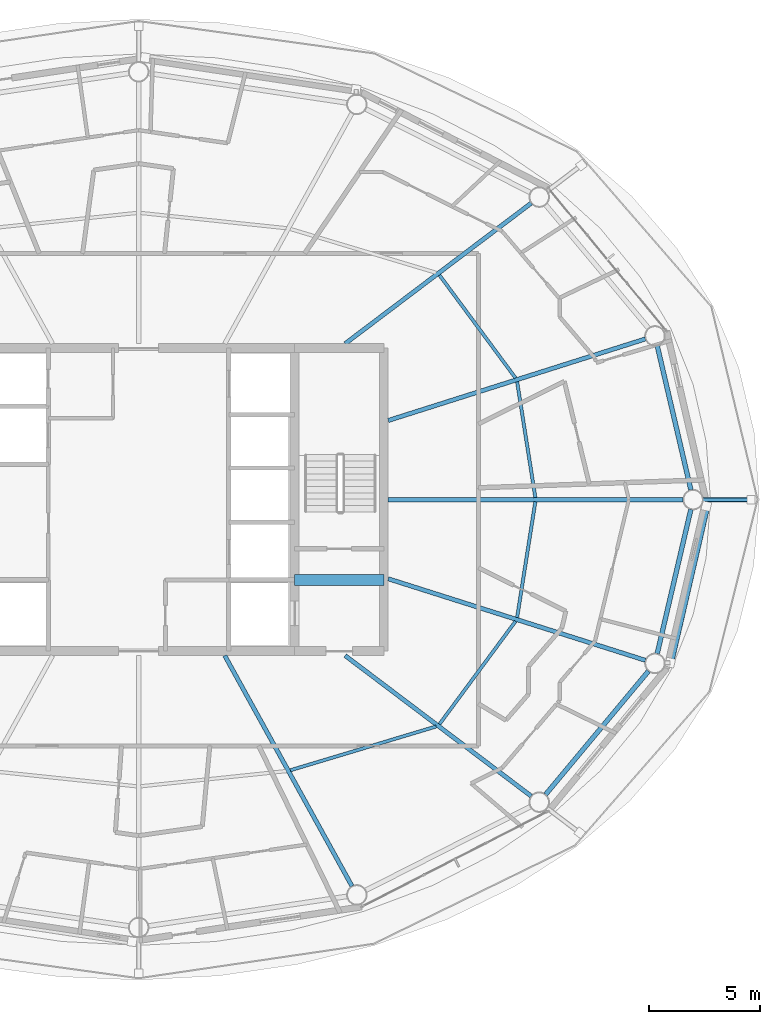
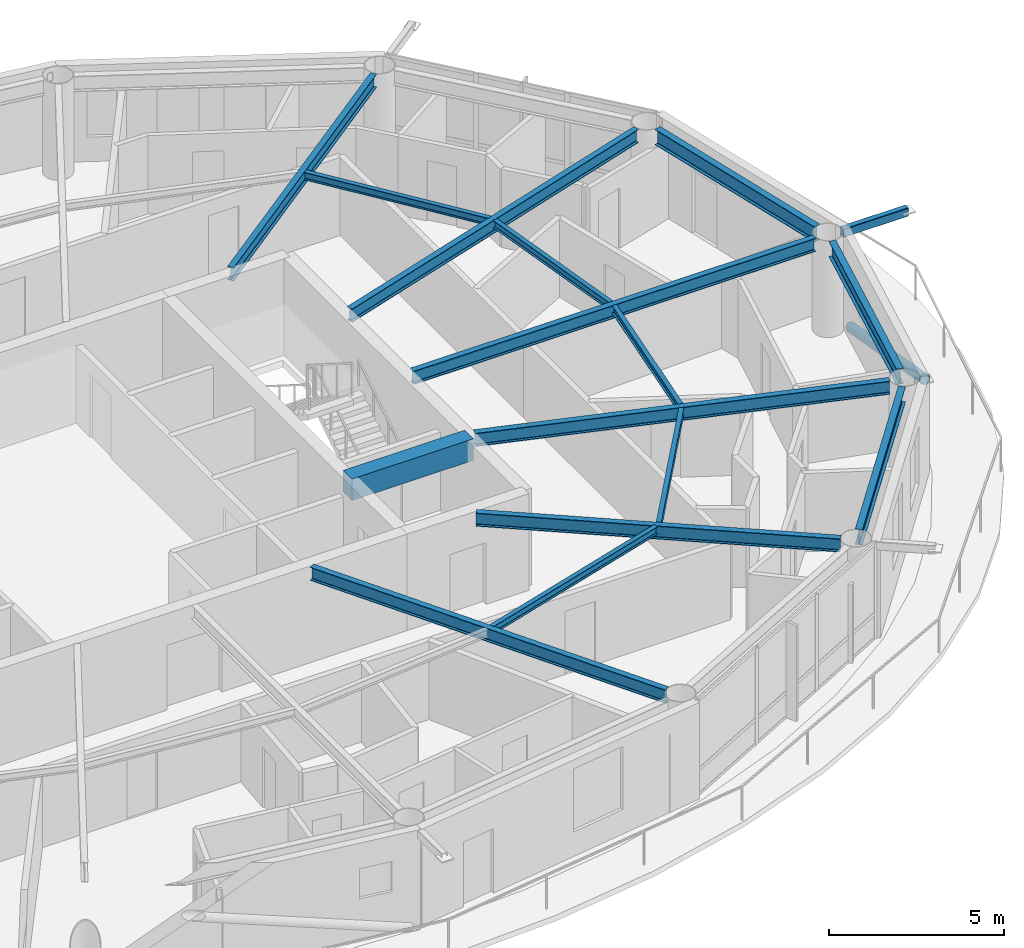
# One storey, part 6 of 23: 15 beams, 2 members.
"""IFC4 building model written with IfcOpenShell, lengths in metres."""

from ifc_helpers import new_model, si_unit, direction, frame, origin, origin_2d, place, context, subcontext, project, spatial, rectangle, hollow_rectangle, hollow_circle, i_section, extrude, material, material_profile, profile_set, type_object, element, save


model = new_model("IFC4")

# Units and contexts
model_context = context("Model", 3, precision=1e-05, world=origin(), true_north=direction((0.0, 1.0)))
body_context = subcontext(model_context, "Body", "Model", "MODEL_VIEW")
ifc_project = project(units=[si_unit("LENGTHUNIT", "METRE"), si_unit("AREAUNIT", "SQUARE_METRE"), si_unit("VOLUMEUNIT", "CUBIC_METRE"), si_unit("PLANEANGLEUNIT", "RADIAN"), si_unit("MASSUNIT", "GRAM", prefix="KILO")], contexts=[model_context])

# Site, building, storey
site_placement = place(None, origin())
site = spatial("IfcSite", under=ifc_project, at=site_placement, CompositionType="ELEMENT")
building_placement = place(site_placement, origin())
building = spatial("IfcBuilding", under=site, at=building_placement, Name="Sarneth Arch Tower", CompositionType="ELEMENT")
storey_placement = place(building_placement, frame((0.0, 0.0, 231.60009765625)))
storey = spatial("IfcBuildingStorey", under=building, at=storey_placement, Name="L59", CompositionType="ELEMENT", Elevation=231.60009765625)

# Beams
ifc_material_1 = material(Name="Steel S355", Category="steel")
ifc_material_profile_1 = material_profile(ifc_material_1, i_section(OverallWidth=0.14794921875, OverallDepth=0.26611328125, WebThickness=0.007568359375, FlangeThickness=0.012939453125, FilletRadius=0.012939453125, at=origin_2d()), Name="W250x44.8")
ifc_profile_set_1 = profile_set([ifc_material_profile_1], Name="Steel S355")
beam_type_1 = type_object("IfcBeamType", Name="BM-JOIST-250", PredefinedType="JOIST", material=ifc_profile_set_1)
beam_1_placement = place(storey_placement, frame((65.8017578125, 42.0947265625, 3.226806640625), z_axis=(-0.155421095795, 0.987848309702, 0.0), x_axis=(-0.987848309702, -0.155421095795, 0.0)))
element("IfcBeam", 1, at=beam_1_placement, inside=storey, type_object=beam_type_1, Name="L59 Secondary floor joist 01", PredefinedType="JOIST", context=body_context, shape_type="SweptSolid", body=[
    extrude(i_section(OverallWidth=0.14794921875, OverallDepth=0.26611328125, WebThickness=0.007568359375, FlangeThickness=0.012939453125, FilletRadius=0.012939453125, at=origin_2d()), origin(), (0.0, 0.0, 1.0), 5.256103515625),
])
beam_2_placement = place(storey_placement, frame((64.912841796875, 47.458740234375, 3.226806640625), z_axis=(-0.594557229879, 0.804053294501, 0.0), x_axis=(-0.804053294501, -0.594557229879, 0.0)))
element("IfcBeam", 2, at=beam_2_placement, inside=storey, type_object=beam_type_1, Name="L59 Secondary floor joist 02", PredefinedType="JOIST", context=body_context, shape_type="SweptSolid", body=[
    extrude(i_section(OverallWidth=0.14794921875, OverallDepth=0.26611328125, WebThickness=0.007568359375, FlangeThickness=0.012939453125, FilletRadius=0.012939453125, at=origin_2d()), origin(), (0.0, 0.0, 1.0), 5.74169921875),
])
beam_3_placement = place(storey_placement, frame((54.810546875, 29.85546875, 3.226806640625), z_axis=(0.957725851155, 0.287682453461, 0.0), x_axis=(-0.287682453461, 0.957725851155, 0.0)))
element("IfcBeam", 3, at=beam_3_placement, inside=storey, type_object=beam_type_1, Name="L59 Secondary floor joist 14", PredefinedType="JOIST", context=body_context, shape_type="SweptSolid", body=[
    extrude(i_section(OverallWidth=0.14794921875, OverallDepth=0.26611328125, WebThickness=0.007568359375, FlangeThickness=0.012939453125, FilletRadius=0.012939453125, at=origin_2d()), origin(), (0.0, 0.0, 1.0), 6.828125),
])
beam_4_placement = place(storey_placement, frame((61.4990234375, 31.924560546875, 3.226806640625), z_axis=(0.594557229879, 0.804053294501, 0.0), x_axis=(-0.804053294501, 0.594557229879, 0.0)))
element("IfcBeam", 4, at=beam_4_placement, inside=storey, type_object=beam_type_1, Name="L59 Secondary floor joist 15", PredefinedType="JOIST", context=body_context, shape_type="SweptSolid", body=[
    extrude(i_section(OverallWidth=0.14794921875, OverallDepth=0.26611328125, WebThickness=0.007568359375, FlangeThickness=0.012939453125, FilletRadius=0.012939453125, at=origin_2d()), origin(), (0.0, 0.0, 1.0), 5.74169921875),
])
beam_5_placement = place(storey_placement, frame((64.98486328125, 36.713134765625, 3.226806640625), z_axis=(0.155421095795, 0.987848309702, 0.0), x_axis=(-0.987848309702, 0.155421095795, 0.0)))
element("IfcBeam", 5, at=beam_5_placement, inside=storey, type_object=beam_type_1, Name="L59 Secondary floor joist 16", PredefinedType="JOIST", context=body_context, shape_type="SweptSolid", body=[
    extrude(i_section(OverallWidth=0.14794921875, OverallDepth=0.26611328125, WebThickness=0.007568359375, FlangeThickness=0.012939453125, FilletRadius=0.012939453125, at=origin_2d()), origin(), (0.0, 0.0, 1.0), 5.256103515625),
])
ifc_material_2 = material(Name="Concrete C50/60", Category="concrete")
ifc_material_profile_2 = material_profile(ifc_material_2, rectangle(XDim=0.5, YDim=0.75, at=origin_2d()), Name="RC-500x750")
ifc_profile_set_2 = profile_set([ifc_material_profile_2], Name="Concrete C50/60")
beam_type_2 = type_object("IfcBeamType", Name="BM-LINTEL-RC", PredefinedType="LINTEL", material=ifc_profile_set_2)
beam_6_placement = place(storey_placement, frame((55.0, 38.39990234375, 2.98486328125), z_axis=(1.0, 0.0, 0.0), x_axis=(0.0, 1.0, 0.0)))
element("IfcBeam", 6, at=beam_6_placement, inside=storey, type_object=beam_type_2, Name="L59 Core coupling lintel E", PredefinedType="LINTEL", context=body_context, shape_type="SweptSolid", body=[
    extrude(rectangle(XDim=0.5, YDim=0.75, at=origin_2d()), origin(), (0.0, 0.0, 1.0), 4.0),
])
ifc_material_3 = material(Name="Steel S355", Category="steel")
ifc_material_profile_3 = material_profile(ifc_material_3, i_section(OverallWidth=0.19189453125, OverallDepth=0.462890625, WebThickness=0.010498046875, FlangeThickness=0.017578125, FilletRadius=0.01806640625, at=origin_2d()), Name="W460x89")
ifc_profile_set_3 = profile_set([ifc_material_profile_3], Name="Steel S355")
beam_type_3 = type_object("IfcBeamType", Name="BM-RAD-460B", PredefinedType="BEAM", material=ifc_profile_set_3)
beam_7_placement = place(storey_placement, frame((59.199951171875, 42.0, 3.12841796875), z_axis=(1.0, 0.0, 0.0), x_axis=(0.0, 1.0, 0.0)))
element("IfcBeam", 7, at=beam_7_placement, inside=storey, type_object=beam_type_3, Name="L59 Radial floor girder 01", PredefinedType="BEAM", context=body_context, shape_type="SweptSolid", body=[
    extrude(i_section(OverallWidth=0.19189453125, OverallDepth=0.462890625, WebThickness=0.010498046875, FlangeThickness=0.017578125, FilletRadius=0.01806640625, at=origin_2d()), origin(), (0.0, 0.0, 1.0), 13.233154296875),
])
beam_8_placement = place(storey_placement, frame((59.199951171875, 45.5517578125, 3.12841796875), z_axis=(0.953215615433, 0.302291234563, 0.0), x_axis=(-0.302291234563, 0.953215615433, 0.0)))
element("IfcBeam", 8, at=beam_8_placement, inside=storey, type_object=beam_type_3, Name="L59 Radial floor girder 02", PredefinedType="BEAM", context=body_context, shape_type="SweptSolid", body=[
    extrude(i_section(OverallWidth=0.19189453125, OverallDepth=0.462890625, WebThickness=0.010498046875, FlangeThickness=0.017578125, FilletRadius=0.01806640625, at=origin_2d()), origin(), (0.0, 0.0, 1.0), 12.1064453125),
])
beam_9_placement = place(storey_placement, frame((57.26806640625, 49.0, 3.12841796875), z_axis=(0.79797356997, 0.602692443647, 0.0), x_axis=(-0.602692443647, 0.79797356997, 0.0)))
element("IfcBeam", 9, at=beam_9_placement, inside=storey, type_object=beam_type_3, Name="L59 Radial floor girder 03", PredefinedType="BEAM", context=body_context, shape_type="SweptSolid", body=[
    extrude(i_section(OverallWidth=0.19189453125, OverallDepth=0.462890625, WebThickness=0.010498046875, FlangeThickness=0.017578125, FilletRadius=0.01806640625, at=origin_2d()), origin(), (0.0, 0.0, 1.0), 10.461669921875),
])
beam_10_placement = place(storey_placement, frame((51.86376953125, 35.0, 3.12841796875), z_axis=(0.483218265038, -0.875499919094, 0.0), x_axis=(0.875499919094, 0.483218265038, 0.0)))
element("IfcBeam", 10, at=beam_10_placement, inside=storey, type_object=beam_type_3, Name="L59 Radial floor girder 14", PredefinedType="BEAM", context=body_context, shape_type="SweptSolid", body=[
    extrude(i_section(OverallWidth=0.19189453125, OverallDepth=0.462890625, WebThickness=0.010498046875, FlangeThickness=0.017578125, FilletRadius=0.01806640625, at=origin_2d()), origin(), (0.0, 0.0, 1.0), 11.8154296875),
])
beam_11_placement = place(storey_placement, frame((57.26806640625, 35.0, 3.12841796875), z_axis=(0.79797356997, -0.602692443647, 0.0), x_axis=(0.602692443647, 0.79797356997, 0.0)))
element("IfcBeam", 11, at=beam_11_placement, inside=storey, type_object=beam_type_3, Name="L59 Radial floor girder 15", PredefinedType="BEAM", context=body_context, shape_type="SweptSolid", body=[
    extrude(i_section(OverallWidth=0.19189453125, OverallDepth=0.462890625, WebThickness=0.010498046875, FlangeThickness=0.017578125, FilletRadius=0.01806640625, at=origin_2d()), origin(), (0.0, 0.0, 1.0), 10.461669921875),
])
beam_12_placement = place(storey_placement, frame((59.199951171875, 38.4482421875, 3.12841796875), z_axis=(0.953215615433, -0.302291234563, 0.0), x_axis=(0.302291234563, 0.953215615433, 0.0)))
element("IfcBeam", 12, at=beam_12_placement, inside=storey, type_object=beam_type_3, Name="L59 Radial floor girder 16", PredefinedType="BEAM", context=body_context, shape_type="SweptSolid", body=[
    extrude(i_section(OverallWidth=0.19189453125, OverallDepth=0.462890625, WebThickness=0.010498046875, FlangeThickness=0.017578125, FilletRadius=0.01806640625, at=origin_2d()), origin(), (0.0, 0.0, 1.0), 12.1064453125),
])
ifc_material_4 = material(Name="Steel S355", Category="steel")
ifc_material_profile_4 = material_profile(ifc_material_4, i_section(OverallWidth=0.2109375, OverallDepth=0.5390625, WebThickness=0.01171875, FlangeThickness=0.018798828125, FilletRadius=0.01806640625, at=origin_2d()), Name="W530x109")
ifc_profile_set_4 = profile_set([ifc_material_profile_4], Name="Steel S355")
beam_type_4 = type_object("IfcBeamType", Name="BM-RAD-530B", PredefinedType="BEAM", material=ifc_profile_set_4)
beam_13_placement = place(storey_placement, frame((72.781005859375, 42.438232421875, 3.09033203125), z_axis=(-0.227247037844, 0.973837144389, 0.0), x_axis=(-0.973837144389, -0.227247037844, 0.0)))
element("IfcBeam", 13, at=beam_13_placement, inside=storey, type_object=beam_type_4, Name="L59 Perimeter spandrel beam 01", PredefinedType="BEAM", context=body_context, shape_type="SweptSolid", body=[
    extrude(i_section(OverallWidth=0.2109375, OverallDepth=0.5390625, WebThickness=0.01171875, FlangeThickness=0.018798828125, FilletRadius=0.01806640625, at=origin_2d()), origin(), (0.0, 0.0, 1.0), 6.644775390625),
])
beam_14_placement = place(storey_placement, frame((66.263427734375, 28.769287109375, 3.09033203125), z_axis=(0.640390876881, 0.768049168222, 0.0), x_axis=(-0.768049168222, 0.640390876881, 0.0)))
element("IfcBeam", 14, at=beam_14_placement, inside=storey, type_object=beam_type_4, Name="L59 Perimeter spandrel beam 15", PredefinedType="BEAM", context=body_context, shape_type="SweptSolid", body=[
    extrude(i_section(OverallWidth=0.2109375, OverallDepth=0.5390625, WebThickness=0.01171875, FlangeThickness=0.018798828125, FilletRadius=0.01806640625, at=origin_2d()), origin(), (0.0, 0.0, 1.0), 7.2099609375),
])
beam_15_placement = place(storey_placement, frame((71.27099609375, 35.0908203125, 3.09033203125), z_axis=(0.227247037844, 0.973837144389, 0.0), x_axis=(-0.973837144389, 0.227247037844, 0.0)))
element("IfcBeam", 15, at=beam_15_placement, inside=storey, type_object=beam_type_4, Name="L59 Perimeter spandrel beam 16", PredefinedType="BEAM", context=body_context, shape_type="SweptSolid", body=[
    extrude(i_section(OverallWidth=0.2109375, OverallDepth=0.5390625, WebThickness=0.01171875, FlangeThickness=0.018798828125, FilletRadius=0.01806640625, at=origin_2d()), origin(), (0.0, 0.0, 1.0), 6.644775390625),
])

# Members
ifc_material_5 = material(Name="Steel S355", Category="steel")
ifc_material_profile_5 = material_profile(ifc_material_5, hollow_rectangle(XDim=0.199951171875, YDim=0.300048828125, WallThickness=0.012451171875, InnerFilletRadius=0.018798828125, OuterFilletRadius=0.03125, at=origin_2d()), Name="RHS300x200x12.5")
ifc_profile_set_5 = profile_set([ifc_material_profile_5], Name="Steel S355")
member_type_1 = type_object("IfcMemberType", Name="MEM-CANT-STRUT", PredefinedType="STRUT", material=ifc_profile_set_5)
member_1_placement = place(storey_placement, frame((73.333251953125, 42.0, 3.199951171875), z_axis=(1.0, 0.0, 0.0), x_axis=(0.0, 1.0, 0.0)))
element("IfcMember", 16, at=member_1_placement, inside=storey, type_object=member_type_1, Name="L59 Balcony cantilever bracket 01", PredefinedType="STRUT", context=body_context, shape_type="SweptSolid", body=[
    extrude(hollow_rectangle(XDim=0.199951171875, YDim=0.300048828125, WallThickness=0.012451171875, InnerFilletRadius=0.018798828125, OuterFilletRadius=0.03125, at=origin_2d()), origin(), (0.0, 0.0, 1.0), 2.145751953125),
])
ifc_material_6 = material(Name="Steel S355", Category="steel")
ifc_material_profile_6 = material_profile(ifc_material_6, hollow_circle(Radius=0.162109375, WallThickness=0.012451171875, at=origin_2d()), Name="CHS324x12.5")
ifc_profile_set_6 = profile_set([ifc_material_profile_6], Name="Steel S355")
member_type_2 = type_object("IfcMemberType", Name="MEM-DIAG-BR3", PredefinedType="BRACE", material=ifc_profile_set_6)
member_2_placement = place(storey_placement, frame((73.4765625, 41.707763671875, 0.02001953125), z_axis=(-0.207917989892, -0.898749333617, 0.386030756289), x_axis=(0.974268900284, -0.225388797281, 0.0)))
element("IfcMember", 17, at=member_2_placement, inside=storey, type_object=member_type_2, Name="L59 Perimeter frame diagonal 16", PredefinedType="BRACE", context=body_context, shape_type="SweptSolid", body=[
    extrude(hollow_circle(Radius=0.162109375, WallThickness=0.012451171875, at=origin_2d()), origin(), (0.0, 0.0, 1.0), 7.814453125),
])

save(model, "model.ifc")
